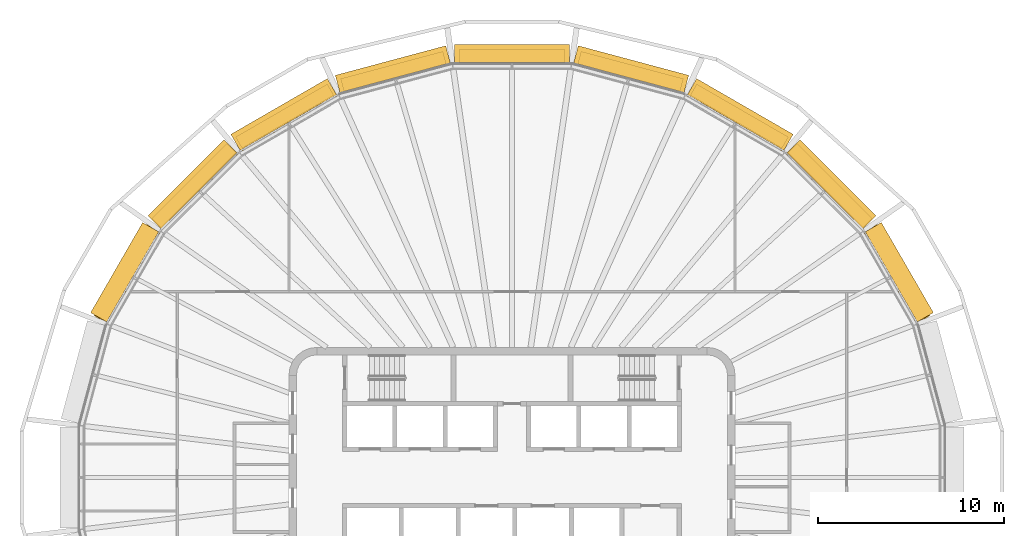
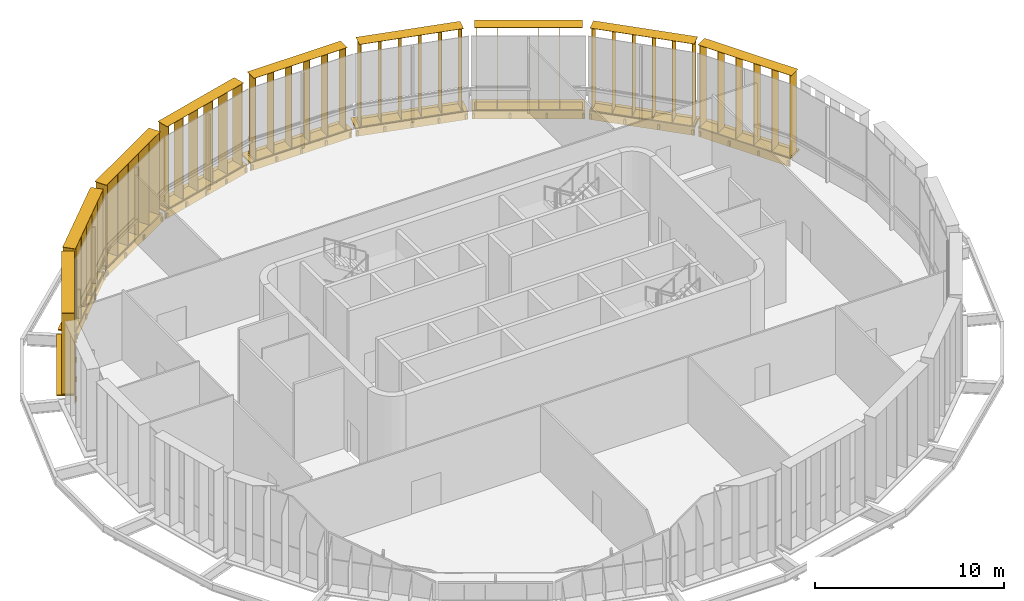
# One storey, part 16 of 16: 18 shading devices.
"""IFC4 building model written with IfcOpenShell, lengths in metres."""

from ifc_helpers import new_model, si_unit, direction, frame, origin, origin_2d, place, context, subcontext, project, spatial, rectangle, extrude, material, type_object, element, save


model = new_model("IFC4")

# Units and contexts
model_context = context("Model", 3, precision=1e-05, world=origin(), true_north=direction((0.0, 1.0)))
body_context = subcontext(model_context, "Body", "Model", "MODEL_VIEW")
ifc_project = project(units=[si_unit("LENGTHUNIT", "METRE"), si_unit("AREAUNIT", "SQUARE_METRE"), si_unit("VOLUMEUNIT", "CUBIC_METRE"), si_unit("PLANEANGLEUNIT", "RADIAN"), si_unit("MASSUNIT", "GRAM", prefix="KILO")], contexts=[model_context])

# Site, building, storey
site_placement = place(None, origin())
site = spatial("IfcSite", under=ifc_project, at=site_placement, CompositionType="ELEMENT")
building_placement = place(site_placement, origin())
building = spatial("IfcBuilding", under=site, at=building_placement, Name="Sahrelin Media Tower", CompositionType="ELEMENT")
storey_placement = place(building_placement, frame((0.0, 0.0, 324.39990234375)))
storey = spatial("IfcBuildingStorey", under=building, at=storey_placement, Name="L72", CompositionType="ELEMENT", Elevation=324.39990234375)

# Shading devices
ifc_material = material(Name="Champagne anodised aluminium 6063-T6", Category="aluminium")
shading_device_type_1 = type_object("IfcShadingDeviceType", Name="Fin cassette", PredefinedType="USERDEFINED", material=ifc_material)
placement_1 = place(storey_placement, frame((20.385009765625, 10.783935546875, 0.0), z_axis=(0.0, 0.0, 1.0), x_axis=(0.500011000363, -0.866019052629, 0.0)))
element("IfcShadingDevice", 1, at=placement_1, inside=storey, type_object=shading_device_type_1, Name="L72:FIN:L72-02", ObjectType="FIN", PredefinedType="USERDEFINED", context=body_context, shape_type="SweptSolid", body=[
    extrude(rectangle(XDim=5.699951171875, YDim=0.699951171875, at=origin_2d()), frame((0.0, 0.419921875, 0.0)), (0.0, 0.0, 1.0), 0.02001953125),
    extrude(rectangle(XDim=5.699951171875, YDim=0.699951171875, at=origin_2d()), frame((0.0, 0.419921875, 5.300048828125)), (0.0, 0.0, 1.0), 0.02001953125),
    extrude(rectangle(XDim=0.02001953125, YDim=0.699951171875, at=origin_2d()), frame((-2.75, 0.419921875, 0.010009765625), z_axis=(0.0, 0.0, 1.0), x_axis=(1.0, 0.0, 0.0)), (0.0, 0.0, 1.0), 5.300048828125),
    extrude(rectangle(XDim=0.02001953125, YDim=0.699951171875, at=origin_2d()), frame((-1.64990234375, 0.419921875, 0.010009765625), z_axis=(0.0, 0.0, 1.0), x_axis=(1.0, 0.0, 0.0)), (0.0, 0.0, 1.0), 5.300048828125),
    extrude(rectangle(XDim=0.02001953125, YDim=0.699951171875, at=origin_2d()), frame((-0.550048828125, 0.419921875, 0.010009765625), z_axis=(0.0, 0.0, 1.0), x_axis=(1.0, 0.0, 0.0)), (0.0, 0.0, 1.0), 5.300048828125),
    extrude(rectangle(XDim=0.02001953125, YDim=0.699951171875, at=origin_2d()), frame((0.550048828125, 0.419921875, 0.010009765625), z_axis=(0.0, 0.0, 1.0), x_axis=(1.0, 0.0, 0.0)), (0.0, 0.0, 1.0), 5.300048828125),
    extrude(rectangle(XDim=0.02001953125, YDim=0.699951171875, at=origin_2d()), frame((1.64990234375, 0.419921875, 0.010009765625), z_axis=(0.0, 0.0, 1.0), x_axis=(1.0, 0.0, 0.0)), (0.0, 0.0, 1.0), 5.300048828125),
    extrude(rectangle(XDim=0.02001953125, YDim=0.699951171875, at=origin_2d()), frame((2.75, 0.419921875, 0.010009765625), z_axis=(0.0, 0.0, 1.0), x_axis=(1.0, 0.0, 0.0)), (0.0, 0.0, 1.0), 5.300048828125),
])
placement_2 = place(storey_placement, frame((16.818359375, 15.4111328125, 0.0), z_axis=(0.0, 0.0, 1.0), x_axis=(0.707106781187, -0.707106781187, 0.0)))
element("IfcShadingDevice", 2, at=placement_2, inside=storey, type_object=shading_device_type_1, Name="L72:FIN:L72-03", ObjectType="FIN", PredefinedType="USERDEFINED", context=body_context, shape_type="SweptSolid", body=[
    extrude(rectangle(XDim=5.699951171875, YDim=0.699951171875, at=origin_2d()), frame((0.0, 0.419921875, 0.0)), (0.0, 0.0, 1.0), 0.02001953125),
    extrude(rectangle(XDim=5.699951171875, YDim=0.699951171875, at=origin_2d()), frame((0.0, 0.419921875, 5.300048828125)), (0.0, 0.0, 1.0), 0.02001953125),
    extrude(rectangle(XDim=0.02001953125, YDim=0.699951171875, at=origin_2d()), frame((-2.75, 0.419921875, 0.010009765625), z_axis=(0.0, 0.0, 1.0), x_axis=(1.0, 0.0, 0.0)), (0.0, 0.0, 1.0), 5.300048828125),
    extrude(rectangle(XDim=0.02001953125, YDim=0.699951171875, at=origin_2d()), frame((-1.64990234375, 0.419921875, 0.010009765625), z_axis=(0.0, 0.0, 1.0), x_axis=(1.0, 0.0, 0.0)), (0.0, 0.0, 1.0), 5.300048828125),
    extrude(rectangle(XDim=0.02001953125, YDim=0.699951171875, at=origin_2d()), frame((-0.550048828125, 0.419921875, 0.010009765625), z_axis=(0.0, 0.0, 1.0), x_axis=(1.0, 0.0, 0.0)), (0.0, 0.0, 1.0), 5.300048828125),
    extrude(rectangle(XDim=0.02001953125, YDim=0.699951171875, at=origin_2d()), frame((0.550048828125, 0.419921875, 0.010009765625), z_axis=(0.0, 0.0, 1.0), x_axis=(1.0, 0.0, 0.0)), (0.0, 0.0, 1.0), 5.300048828125),
    extrude(rectangle(XDim=0.02001953125, YDim=0.699951171875, at=origin_2d()), frame((1.64990234375, 0.419921875, 0.010009765625), z_axis=(0.0, 0.0, 1.0), x_axis=(1.0, 0.0, 0.0)), (0.0, 0.0, 1.0), 5.300048828125),
    extrude(rectangle(XDim=0.02001953125, YDim=0.699951171875, at=origin_2d()), frame((2.75, 0.419921875, 0.010009765625), z_axis=(0.0, 0.0, 1.0), x_axis=(1.0, 0.0, 0.0)), (0.0, 0.0, 1.0), 5.300048828125),
])
placement_3 = place(storey_placement, frame((12.01904296875, 19.0771484375, 0.0), z_axis=(0.0, 0.0, 1.0), x_axis=(0.866019052629, -0.500011000363, 0.0)))
element("IfcShadingDevice", 3, at=placement_3, inside=storey, type_object=shading_device_type_1, Name="L72:FIN:L72-04", ObjectType="FIN", PredefinedType="USERDEFINED", context=body_context, shape_type="SweptSolid", body=[
    extrude(rectangle(XDim=5.699951171875, YDim=0.699951171875, at=origin_2d()), frame((0.0, 0.419921875, 0.0)), (0.0, 0.0, 1.0), 0.02001953125),
    extrude(rectangle(XDim=5.699951171875, YDim=0.699951171875, at=origin_2d()), frame((0.0, 0.419921875, 5.300048828125)), (0.0, 0.0, 1.0), 0.02001953125),
    extrude(rectangle(XDim=0.02001953125, YDim=0.699951171875, at=origin_2d()), frame((-2.75, 0.419921875, 0.010009765625), z_axis=(0.0, 0.0, 1.0), x_axis=(1.0, 0.0, 0.0)), (0.0, 0.0, 1.0), 5.300048828125),
    extrude(rectangle(XDim=0.02001953125, YDim=0.699951171875, at=origin_2d()), frame((-1.64990234375, 0.419921875, 0.010009765625), z_axis=(0.0, 0.0, 1.0), x_axis=(1.0, 0.0, 0.0)), (0.0, 0.0, 1.0), 5.300048828125),
    extrude(rectangle(XDim=0.02001953125, YDim=0.699951171875, at=origin_2d()), frame((-0.550048828125, 0.419921875, 0.010009765625), z_axis=(0.0, 0.0, 1.0), x_axis=(1.0, 0.0, 0.0)), (0.0, 0.0, 1.0), 5.300048828125),
    extrude(rectangle(XDim=0.02001953125, YDim=0.699951171875, at=origin_2d()), frame((0.550048828125, 0.419921875, 0.010009765625), z_axis=(0.0, 0.0, 1.0), x_axis=(1.0, 0.0, 0.0)), (0.0, 0.0, 1.0), 5.300048828125),
    extrude(rectangle(XDim=0.02001953125, YDim=0.699951171875, at=origin_2d()), frame((1.64990234375, 0.419921875, 0.010009765625), z_axis=(0.0, 0.0, 1.0), x_axis=(1.0, 0.0, 0.0)), (0.0, 0.0, 1.0), 5.300048828125),
    extrude(rectangle(XDim=0.02001953125, YDim=0.699951171875, at=origin_2d()), frame((2.75, 0.419921875, 0.010009765625), z_axis=(0.0, 0.0, 1.0), x_axis=(1.0, 0.0, 0.0)), (0.0, 0.0, 1.0), 5.300048828125),
])
placement_4 = place(storey_placement, frame((6.270751953125, 21.447021484375, 0.0), z_axis=(0.0, 0.0, 1.0), x_axis=(0.965928857556, -0.258807731996, 0.0)))
element("IfcShadingDevice", 4, at=placement_4, inside=storey, type_object=shading_device_type_1, Name="L72:FIN:L72-05", ObjectType="FIN", PredefinedType="USERDEFINED", context=body_context, shape_type="SweptSolid", body=[
    extrude(rectangle(XDim=5.699951171875, YDim=0.699951171875, at=origin_2d()), frame((0.0, 0.419921875, 0.0)), (0.0, 0.0, 1.0), 0.02001953125),
    extrude(rectangle(XDim=5.699951171875, YDim=0.699951171875, at=origin_2d()), frame((0.0, 0.419921875, 5.300048828125)), (0.0, 0.0, 1.0), 0.02001953125),
    extrude(rectangle(XDim=0.02001953125, YDim=0.699951171875, at=origin_2d()), frame((-2.75, 0.419921875, 0.010009765625), z_axis=(0.0, 0.0, 1.0), x_axis=(1.0, 0.0, 0.0)), (0.0, 0.0, 1.0), 5.300048828125),
    extrude(rectangle(XDim=0.02001953125, YDim=0.699951171875, at=origin_2d()), frame((-1.64990234375, 0.419921875, 0.010009765625), z_axis=(0.0, 0.0, 1.0), x_axis=(1.0, 0.0, 0.0)), (0.0, 0.0, 1.0), 5.300048828125),
    extrude(rectangle(XDim=0.02001953125, YDim=0.699951171875, at=origin_2d()), frame((-0.550048828125, 0.419921875, 0.010009765625), z_axis=(0.0, 0.0, 1.0), x_axis=(1.0, 0.0, 0.0)), (0.0, 0.0, 1.0), 5.300048828125),
    extrude(rectangle(XDim=0.02001953125, YDim=0.699951171875, at=origin_2d()), frame((0.550048828125, 0.419921875, 0.010009765625), z_axis=(0.0, 0.0, 1.0), x_axis=(1.0, 0.0, 0.0)), (0.0, 0.0, 1.0), 5.300048828125),
    extrude(rectangle(XDim=0.02001953125, YDim=0.699951171875, at=origin_2d()), frame((1.64990234375, 0.419921875, 0.010009765625), z_axis=(0.0, 0.0, 1.0), x_axis=(1.0, 0.0, 0.0)), (0.0, 0.0, 1.0), 5.300048828125),
    extrude(rectangle(XDim=0.02001953125, YDim=0.699951171875, at=origin_2d()), frame((2.75, 0.419921875, 0.010009765625), z_axis=(0.0, 0.0, 1.0), x_axis=(1.0, 0.0, 0.0)), (0.0, 0.0, 1.0), 5.300048828125),
])
placement_5 = place(storey_placement, frame((0.0, 22.268798828125, 0.0), z_axis=(0.0, 0.0, 1.0), x_axis=(1.0, 0.0, 0.0)))
element("IfcShadingDevice", 5, at=placement_5, inside=storey, type_object=shading_device_type_1, Name="L72:FIN:L72-06", ObjectType="FIN", PredefinedType="USERDEFINED", context=body_context, shape_type="SweptSolid", body=[
    extrude(rectangle(XDim=5.699951171875, YDim=0.699951171875, at=origin_2d()), frame((0.0, 0.419921875, 0.0)), (0.0, 0.0, 1.0), 0.02001953125),
    extrude(rectangle(XDim=5.699951171875, YDim=0.699951171875, at=origin_2d()), frame((0.0, 0.419921875, 5.300048828125)), (0.0, 0.0, 1.0), 0.02001953125),
    extrude(rectangle(XDim=0.02001953125, YDim=0.699951171875, at=origin_2d()), frame((-2.75, 0.419921875, 0.010009765625), z_axis=(0.0, 0.0, 1.0), x_axis=(1.0, 0.0, 0.0)), (0.0, 0.0, 1.0), 5.300048828125),
    extrude(rectangle(XDim=0.02001953125, YDim=0.699951171875, at=origin_2d()), frame((-1.64990234375, 0.419921875, 0.010009765625), z_axis=(0.0, 0.0, 1.0), x_axis=(1.0, 0.0, 0.0)), (0.0, 0.0, 1.0), 5.300048828125),
    extrude(rectangle(XDim=0.02001953125, YDim=0.699951171875, at=origin_2d()), frame((-0.550048828125, 0.419921875, 0.010009765625), z_axis=(0.0, 0.0, 1.0), x_axis=(1.0, 0.0, 0.0)), (0.0, 0.0, 1.0), 5.300048828125),
    extrude(rectangle(XDim=0.02001953125, YDim=0.699951171875, at=origin_2d()), frame((0.550048828125, 0.419921875, 0.010009765625), z_axis=(0.0, 0.0, 1.0), x_axis=(1.0, 0.0, 0.0)), (0.0, 0.0, 1.0), 5.300048828125),
    extrude(rectangle(XDim=0.02001953125, YDim=0.699951171875, at=origin_2d()), frame((1.64990234375, 0.419921875, 0.010009765625), z_axis=(0.0, 0.0, 1.0), x_axis=(1.0, 0.0, 0.0)), (0.0, 0.0, 1.0), 5.300048828125),
    extrude(rectangle(XDim=0.02001953125, YDim=0.699951171875, at=origin_2d()), frame((2.75, 0.419921875, 0.010009765625), z_axis=(0.0, 0.0, 1.0), x_axis=(1.0, 0.0, 0.0)), (0.0, 0.0, 1.0), 5.300048828125),
])
placement_6 = place(storey_placement, frame((-6.270751953125, 21.447021484375, 0.0), z_axis=(0.0, 0.0, 1.0), x_axis=(0.965928857556, 0.258807731996, 0.0)))
element("IfcShadingDevice", 6, at=placement_6, inside=storey, type_object=shading_device_type_1, Name="L72:FIN:L72-07", ObjectType="FIN", PredefinedType="USERDEFINED", context=body_context, shape_type="SweptSolid", body=[
    extrude(rectangle(XDim=5.699951171875, YDim=0.699951171875, at=origin_2d()), frame((0.0, 0.419921875, 0.0)), (0.0, 0.0, 1.0), 0.02001953125),
    extrude(rectangle(XDim=5.699951171875, YDim=0.699951171875, at=origin_2d()), frame((0.0, 0.419921875, 5.300048828125)), (0.0, 0.0, 1.0), 0.02001953125),
    extrude(rectangle(XDim=0.02001953125, YDim=0.699951171875, at=origin_2d()), frame((-2.75, 0.419921875, 0.010009765625), z_axis=(0.0, 0.0, 1.0), x_axis=(1.0, 0.0, 0.0)), (0.0, 0.0, 1.0), 5.300048828125),
    extrude(rectangle(XDim=0.02001953125, YDim=0.699951171875, at=origin_2d()), frame((-1.64990234375, 0.419921875, 0.010009765625), z_axis=(0.0, 0.0, 1.0), x_axis=(1.0, 0.0, 0.0)), (0.0, 0.0, 1.0), 5.300048828125),
    extrude(rectangle(XDim=0.02001953125, YDim=0.699951171875, at=origin_2d()), frame((-0.550048828125, 0.419921875, 0.010009765625), z_axis=(0.0, 0.0, 1.0), x_axis=(1.0, 0.0, 0.0)), (0.0, 0.0, 1.0), 5.300048828125),
    extrude(rectangle(XDim=0.02001953125, YDim=0.699951171875, at=origin_2d()), frame((0.550048828125, 0.419921875, 0.010009765625), z_axis=(0.0, 0.0, 1.0), x_axis=(1.0, 0.0, 0.0)), (0.0, 0.0, 1.0), 5.300048828125),
    extrude(rectangle(XDim=0.02001953125, YDim=0.699951171875, at=origin_2d()), frame((1.64990234375, 0.419921875, 0.010009765625), z_axis=(0.0, 0.0, 1.0), x_axis=(1.0, 0.0, 0.0)), (0.0, 0.0, 1.0), 5.300048828125),
    extrude(rectangle(XDim=0.02001953125, YDim=0.699951171875, at=origin_2d()), frame((2.75, 0.419921875, 0.010009765625), z_axis=(0.0, 0.0, 1.0), x_axis=(1.0, 0.0, 0.0)), (0.0, 0.0, 1.0), 5.300048828125),
])
placement_7 = place(storey_placement, frame((-12.01904296875, 19.0771484375, 0.0), z_axis=(0.0, 0.0, 1.0), x_axis=(0.866019052629, 0.500011000363, 0.0)))
element("IfcShadingDevice", 7, at=placement_7, inside=storey, type_object=shading_device_type_1, Name="L72:FIN:L72-08", ObjectType="FIN", PredefinedType="USERDEFINED", context=body_context, shape_type="SweptSolid", body=[
    extrude(rectangle(XDim=5.699951171875, YDim=0.699951171875, at=origin_2d()), frame((0.0, 0.419921875, 0.0)), (0.0, 0.0, 1.0), 0.02001953125),
    extrude(rectangle(XDim=5.699951171875, YDim=0.699951171875, at=origin_2d()), frame((0.0, 0.419921875, 5.300048828125)), (0.0, 0.0, 1.0), 0.02001953125),
    extrude(rectangle(XDim=0.02001953125, YDim=0.699951171875, at=origin_2d()), frame((-2.75, 0.419921875, 0.010009765625), z_axis=(0.0, 0.0, 1.0), x_axis=(1.0, 0.0, 0.0)), (0.0, 0.0, 1.0), 5.300048828125),
    extrude(rectangle(XDim=0.02001953125, YDim=0.699951171875, at=origin_2d()), frame((-1.64990234375, 0.419921875, 0.010009765625), z_axis=(0.0, 0.0, 1.0), x_axis=(1.0, 0.0, 0.0)), (0.0, 0.0, 1.0), 5.300048828125),
    extrude(rectangle(XDim=0.02001953125, YDim=0.699951171875, at=origin_2d()), frame((-0.550048828125, 0.419921875, 0.010009765625), z_axis=(0.0, 0.0, 1.0), x_axis=(1.0, 0.0, 0.0)), (0.0, 0.0, 1.0), 5.300048828125),
    extrude(rectangle(XDim=0.02001953125, YDim=0.699951171875, at=origin_2d()), frame((0.550048828125, 0.419921875, 0.010009765625), z_axis=(0.0, 0.0, 1.0), x_axis=(1.0, 0.0, 0.0)), (0.0, 0.0, 1.0), 5.300048828125),
    extrude(rectangle(XDim=0.02001953125, YDim=0.699951171875, at=origin_2d()), frame((1.64990234375, 0.419921875, 0.010009765625), z_axis=(0.0, 0.0, 1.0), x_axis=(1.0, 0.0, 0.0)), (0.0, 0.0, 1.0), 5.300048828125),
    extrude(rectangle(XDim=0.02001953125, YDim=0.699951171875, at=origin_2d()), frame((2.75, 0.419921875, 0.010009765625), z_axis=(0.0, 0.0, 1.0), x_axis=(1.0, 0.0, 0.0)), (0.0, 0.0, 1.0), 5.300048828125),
])
placement_8 = place(storey_placement, frame((-16.818359375, 15.4111328125, 0.0), z_axis=(0.0, 0.0, 1.0), x_axis=(0.707106781187, 0.707106781187, 0.0)))
element("IfcShadingDevice", 8, at=placement_8, inside=storey, type_object=shading_device_type_1, Name="L72:FIN:L72-09", ObjectType="FIN", PredefinedType="USERDEFINED", context=body_context, shape_type="SweptSolid", body=[
    extrude(rectangle(XDim=5.699951171875, YDim=0.699951171875, at=origin_2d()), frame((0.0, 0.419921875, 0.0)), (0.0, 0.0, 1.0), 0.02001953125),
    extrude(rectangle(XDim=5.699951171875, YDim=0.699951171875, at=origin_2d()), frame((0.0, 0.419921875, 5.300048828125)), (0.0, 0.0, 1.0), 0.02001953125),
    extrude(rectangle(XDim=0.02001953125, YDim=0.699951171875, at=origin_2d()), frame((-2.75, 0.419921875, 0.010009765625), z_axis=(0.0, 0.0, 1.0), x_axis=(1.0, 0.0, 0.0)), (0.0, 0.0, 1.0), 5.300048828125),
    extrude(rectangle(XDim=0.02001953125, YDim=0.699951171875, at=origin_2d()), frame((-1.64990234375, 0.419921875, 0.010009765625), z_axis=(0.0, 0.0, 1.0), x_axis=(1.0, 0.0, 0.0)), (0.0, 0.0, 1.0), 5.300048828125),
    extrude(rectangle(XDim=0.02001953125, YDim=0.699951171875, at=origin_2d()), frame((-0.550048828125, 0.419921875, 0.010009765625), z_axis=(0.0, 0.0, 1.0), x_axis=(1.0, 0.0, 0.0)), (0.0, 0.0, 1.0), 5.300048828125),
    extrude(rectangle(XDim=0.02001953125, YDim=0.699951171875, at=origin_2d()), frame((0.550048828125, 0.419921875, 0.010009765625), z_axis=(0.0, 0.0, 1.0), x_axis=(1.0, 0.0, 0.0)), (0.0, 0.0, 1.0), 5.300048828125),
    extrude(rectangle(XDim=0.02001953125, YDim=0.699951171875, at=origin_2d()), frame((1.64990234375, 0.419921875, 0.010009765625), z_axis=(0.0, 0.0, 1.0), x_axis=(1.0, 0.0, 0.0)), (0.0, 0.0, 1.0), 5.300048828125),
    extrude(rectangle(XDim=0.02001953125, YDim=0.699951171875, at=origin_2d()), frame((2.75, 0.419921875, 0.010009765625), z_axis=(0.0, 0.0, 1.0), x_axis=(1.0, 0.0, 0.0)), (0.0, 0.0, 1.0), 5.300048828125),
])
placement_9 = place(storey_placement, frame((-20.385009765625, 10.78369140625, 0.0), z_axis=(0.0, 0.0, 1.0), x_axis=(0.500011000363, 0.866019052629, 0.0)))
element("IfcShadingDevice", 9, at=placement_9, inside=storey, type_object=shading_device_type_1, Name="L72:FIN:L72-10", ObjectType="FIN", PredefinedType="USERDEFINED", context=body_context, shape_type="SweptSolid", body=[
    extrude(rectangle(XDim=5.699951171875, YDim=0.699951171875, at=origin_2d()), frame((0.0, 0.419921875, 0.0)), (0.0, 0.0, 1.0), 0.02001953125),
    extrude(rectangle(XDim=5.699951171875, YDim=0.699951171875, at=origin_2d()), frame((0.0, 0.419921875, 5.300048828125)), (0.0, 0.0, 1.0), 0.02001953125),
    extrude(rectangle(XDim=0.02001953125, YDim=0.699951171875, at=origin_2d()), frame((-2.75, 0.419921875, 0.010009765625), z_axis=(0.0, 0.0, 1.0), x_axis=(1.0, 0.0, 0.0)), (0.0, 0.0, 1.0), 5.300048828125),
    extrude(rectangle(XDim=0.02001953125, YDim=0.699951171875, at=origin_2d()), frame((-1.64990234375, 0.419921875, 0.010009765625), z_axis=(0.0, 0.0, 1.0), x_axis=(1.0, 0.0, 0.0)), (0.0, 0.0, 1.0), 5.300048828125),
    extrude(rectangle(XDim=0.02001953125, YDim=0.699951171875, at=origin_2d()), frame((-0.550048828125, 0.419921875, 0.010009765625), z_axis=(0.0, 0.0, 1.0), x_axis=(1.0, 0.0, 0.0)), (0.0, 0.0, 1.0), 5.300048828125),
    extrude(rectangle(XDim=0.02001953125, YDim=0.699951171875, at=origin_2d()), frame((0.550048828125, 0.419921875, 0.010009765625), z_axis=(0.0, 0.0, 1.0), x_axis=(1.0, 0.0, 0.0)), (0.0, 0.0, 1.0), 5.300048828125),
    extrude(rectangle(XDim=0.02001953125, YDim=0.699951171875, at=origin_2d()), frame((1.64990234375, 0.419921875, 0.010009765625), z_axis=(0.0, 0.0, 1.0), x_axis=(1.0, 0.0, 0.0)), (0.0, 0.0, 1.0), 5.300048828125),
    extrude(rectangle(XDim=0.02001953125, YDim=0.699951171875, at=origin_2d()), frame((2.75, 0.419921875, 0.010009765625), z_axis=(0.0, 0.0, 1.0), x_axis=(1.0, 0.0, 0.0)), (0.0, 0.0, 1.0), 5.300048828125),
])
shading_device_type_2 = type_object("IfcShadingDeviceType", Name="Sunshade band", PredefinedType="USERDEFINED", material=ifc_material)
element("IfcShadingDevice", 10, at=placement_1, inside=storey, type_object=shading_device_type_2, Name="L72:SUN:L72-02", ObjectType="SUNSHADE", PredefinedType="USERDEFINED", context=body_context, shape_type="SweptSolid", body=[
    extrude(rectangle(XDim=5.59619140625, YDim=0.050048828125, at=origin_2d()), frame((0.0, 0.044921875, -0.55126953125)), (0.0, 0.0, 1.0), 0.471435546875),
    extrude(rectangle(XDim=5.59619140625, YDim=1.0, at=origin_2d()), frame((0.0, 0.52001953125, -0.080078125)), (0.0, 0.0, 1.0), 0.080078125),
    extrude(rectangle(XDim=0.10009765625, YDim=0.074951171875, at=origin_2d()), frame((-2.697998046875, -0.017578125, -0.47021484375)), (0.0, 0.0, 1.0), 0.300048828125),
    extrude(rectangle(XDim=0.10009765625, YDim=0.074951171875, at=origin_2d()), frame((-0.8994140625, -0.017578125, -0.47021484375)), (0.0, 0.0, 1.0), 0.300048828125),
    extrude(rectangle(XDim=0.10009765625, YDim=0.074951171875, at=origin_2d()), frame((0.8994140625, -0.017578125, -0.47021484375)), (0.0, 0.0, 1.0), 0.300048828125),
    extrude(rectangle(XDim=0.10009765625, YDim=0.074951171875, at=origin_2d()), frame((2.697998046875, -0.017578125, -0.47021484375)), (0.0, 0.0, 1.0), 0.300048828125),
])
element("IfcShadingDevice", 11, at=placement_2, inside=storey, type_object=shading_device_type_2, Name="L72:SUN:L72-03", ObjectType="SUNSHADE", PredefinedType="USERDEFINED", context=body_context, shape_type="SweptSolid", body=[
    extrude(rectangle(XDim=5.789306640625, YDim=0.050048828125, at=origin_2d()), frame((0.0, 0.044921875, -0.55126953125)), (0.0, 0.0, 1.0), 0.471435546875),
    extrude(rectangle(XDim=5.789306640625, YDim=1.0, at=origin_2d()), frame((0.0, 0.52001953125, -0.080078125)), (0.0, 0.0, 1.0), 0.080078125),
    extrude(rectangle(XDim=0.10009765625, YDim=0.074951171875, at=origin_2d()), frame((-2.794677734375, -0.017578125, -0.47021484375)), (0.0, 0.0, 1.0), 0.300048828125),
    extrude(rectangle(XDim=0.10009765625, YDim=0.074951171875, at=origin_2d()), frame((-0.931640625, -0.017578125, -0.47021484375)), (0.0, 0.0, 1.0), 0.300048828125),
    extrude(rectangle(XDim=0.10009765625, YDim=0.074951171875, at=origin_2d()), frame((0.931640625, -0.017578125, -0.47021484375)), (0.0, 0.0, 1.0), 0.300048828125),
    extrude(rectangle(XDim=0.10009765625, YDim=0.074951171875, at=origin_2d()), frame((2.794677734375, -0.017578125, -0.47021484375)), (0.0, 0.0, 1.0), 0.300048828125),
])
element("IfcShadingDevice", 12, at=placement_3, inside=storey, type_object=shading_device_type_2, Name="L72:SUN:L72-04", ObjectType="SUNSHADE", PredefinedType="USERDEFINED", context=body_context, shape_type="SweptSolid", body=[
    extrude(rectangle(XDim=5.9931640625, YDim=0.050048828125, at=origin_2d()), frame((0.0, 0.044921875, -0.55126953125)), (0.0, 0.0, 1.0), 0.471435546875),
    extrude(rectangle(XDim=5.9931640625, YDim=1.0, at=origin_2d()), frame((0.0, 0.52001953125, -0.080078125)), (0.0, 0.0, 1.0), 0.080078125),
    extrude(rectangle(XDim=0.10009765625, YDim=0.074951171875, at=origin_2d()), frame((-2.896484375, -0.017578125, -0.47021484375)), (0.0, 0.0, 1.0), 0.300048828125),
    extrude(rectangle(XDim=0.10009765625, YDim=0.074951171875, at=origin_2d()), frame((-0.965576171875, -0.017578125, -0.47021484375)), (0.0, 0.0, 1.0), 0.300048828125),
    extrude(rectangle(XDim=0.10009765625, YDim=0.074951171875, at=origin_2d()), frame((0.965576171875, -0.017578125, -0.47021484375)), (0.0, 0.0, 1.0), 0.300048828125),
    extrude(rectangle(XDim=0.10009765625, YDim=0.074951171875, at=origin_2d()), frame((2.896484375, -0.017578125, -0.47021484375)), (0.0, 0.0, 1.0), 0.300048828125),
])
element("IfcShadingDevice", 13, at=placement_4, inside=storey, type_object=shading_device_type_2, Name="L72:SUN:L72-05", ObjectType="SUNSHADE", PredefinedType="USERDEFINED", context=body_context, shape_type="SweptSolid", body=[
    extrude(rectangle(XDim=6.149658203125, YDim=0.050048828125, at=origin_2d()), frame((0.0, 0.044921875, -0.55126953125)), (0.0, 0.0, 1.0), 0.471435546875),
    extrude(rectangle(XDim=6.149658203125, YDim=1.0, at=origin_2d()), frame((0.0, 0.52001953125, -0.080078125)), (0.0, 0.0, 1.0), 0.080078125),
    extrude(rectangle(XDim=0.10009765625, YDim=0.074951171875, at=origin_2d()), frame((-2.974853515625, -0.017578125, -0.47021484375)), (0.0, 0.0, 1.0), 0.300048828125),
    extrude(rectangle(XDim=0.10009765625, YDim=0.074951171875, at=origin_2d()), frame((-1.4873046875, -0.017578125, -0.47021484375)), (0.0, 0.0, 1.0), 0.300048828125),
    extrude(rectangle(XDim=0.10009765625, YDim=0.074951171875, at=origin_2d()), frame((0.0, -0.017578125, -0.47021484375)), (0.0, 0.0, 1.0), 0.300048828125),
    extrude(rectangle(XDim=0.10009765625, YDim=0.074951171875, at=origin_2d()), frame((1.4873046875, -0.017578125, -0.47021484375)), (0.0, 0.0, 1.0), 0.300048828125),
    extrude(rectangle(XDim=0.10009765625, YDim=0.074951171875, at=origin_2d()), frame((2.974853515625, -0.017578125, -0.47021484375)), (0.0, 0.0, 1.0), 0.300048828125),
])
element("IfcShadingDevice", 14, at=placement_5, inside=storey, type_object=shading_device_type_2, Name="L72:SUN:L72-06", ObjectType="SUNSHADE", PredefinedType="USERDEFINED", context=body_context, shape_type="SweptSolid", body=[
    extrude(rectangle(XDim=6.208251953125, YDim=0.050048828125, at=origin_2d()), frame((0.0, 0.044921875, -0.55126953125)), (0.0, 0.0, 1.0), 0.471435546875),
    extrude(rectangle(XDim=6.208251953125, YDim=1.0, at=origin_2d()), frame((0.0, 0.52001953125, -0.080078125)), (0.0, 0.0, 1.0), 0.080078125),
    extrude(rectangle(XDim=0.10009765625, YDim=0.074951171875, at=origin_2d()), frame((-3.004150390625, -0.017578125, -0.47021484375)), (0.0, 0.0, 1.0), 0.300048828125),
    extrude(rectangle(XDim=0.10009765625, YDim=0.074951171875, at=origin_2d()), frame((-1.502197265625, -0.017578125, -0.47021484375)), (0.0, 0.0, 1.0), 0.300048828125),
    extrude(rectangle(XDim=0.10009765625, YDim=0.074951171875, at=origin_2d()), frame((0.0, -0.017578125, -0.47021484375)), (0.0, 0.0, 1.0), 0.300048828125),
    extrude(rectangle(XDim=0.10009765625, YDim=0.074951171875, at=origin_2d()), frame((1.501953125, -0.017578125, -0.47021484375)), (0.0, 0.0, 1.0), 0.300048828125),
    extrude(rectangle(XDim=0.10009765625, YDim=0.074951171875, at=origin_2d()), frame((3.004150390625, -0.017578125, -0.47021484375)), (0.0, 0.0, 1.0), 0.300048828125),
])
element("IfcShadingDevice", 15, at=placement_6, inside=storey, type_object=shading_device_type_2, Name="L72:SUN:L72-07", ObjectType="SUNSHADE", PredefinedType="USERDEFINED", context=body_context, shape_type="SweptSolid", body=[
    extrude(rectangle(XDim=6.149658203125, YDim=0.050048828125, at=origin_2d()), frame((0.0, 0.044921875, -0.55126953125)), (0.0, 0.0, 1.0), 0.471435546875),
    extrude(rectangle(XDim=6.149658203125, YDim=1.0, at=origin_2d()), frame((0.0, 0.52001953125, -0.080078125)), (0.0, 0.0, 1.0), 0.080078125),
    extrude(rectangle(XDim=0.10009765625, YDim=0.074951171875, at=origin_2d()), frame((-2.974853515625, -0.017578125, -0.47021484375)), (0.0, 0.0, 1.0), 0.300048828125),
    extrude(rectangle(XDim=0.10009765625, YDim=0.074951171875, at=origin_2d()), frame((-1.4873046875, -0.017578125, -0.47021484375)), (0.0, 0.0, 1.0), 0.300048828125),
    extrude(rectangle(XDim=0.10009765625, YDim=0.074951171875, at=origin_2d()), frame((0.0, -0.017578125, -0.47021484375)), (0.0, 0.0, 1.0), 0.300048828125),
    extrude(rectangle(XDim=0.10009765625, YDim=0.074951171875, at=origin_2d()), frame((1.4873046875, -0.017578125, -0.47021484375)), (0.0, 0.0, 1.0), 0.300048828125),
    extrude(rectangle(XDim=0.10009765625, YDim=0.074951171875, at=origin_2d()), frame((2.974853515625, -0.017578125, -0.47021484375)), (0.0, 0.0, 1.0), 0.300048828125),
])
element("IfcShadingDevice", 16, at=placement_7, inside=storey, type_object=shading_device_type_2, Name="L72:SUN:L72-08", ObjectType="SUNSHADE", PredefinedType="USERDEFINED", context=body_context, shape_type="SweptSolid", body=[
    extrude(rectangle(XDim=5.9931640625, YDim=0.050048828125, at=origin_2d()), frame((0.0, 0.044921875, -0.55126953125)), (0.0, 0.0, 1.0), 0.471435546875),
    extrude(rectangle(XDim=5.9931640625, YDim=1.0, at=origin_2d()), frame((0.0, 0.52001953125, -0.080078125)), (0.0, 0.0, 1.0), 0.080078125),
    extrude(rectangle(XDim=0.10009765625, YDim=0.074951171875, at=origin_2d()), frame((-2.896484375, -0.017578125, -0.47021484375)), (0.0, 0.0, 1.0), 0.300048828125),
    extrude(rectangle(XDim=0.10009765625, YDim=0.074951171875, at=origin_2d()), frame((-0.965576171875, -0.017578125, -0.47021484375)), (0.0, 0.0, 1.0), 0.300048828125),
    extrude(rectangle(XDim=0.10009765625, YDim=0.074951171875, at=origin_2d()), frame((0.965576171875, -0.017578125, -0.47021484375)), (0.0, 0.0, 1.0), 0.300048828125),
    extrude(rectangle(XDim=0.10009765625, YDim=0.074951171875, at=origin_2d()), frame((2.896484375, -0.017578125, -0.47021484375)), (0.0, 0.0, 1.0), 0.300048828125),
])
element("IfcShadingDevice", 17, at=placement_8, inside=storey, type_object=shading_device_type_2, Name="L72:SUN:L72-09", ObjectType="SUNSHADE", PredefinedType="USERDEFINED", context=body_context, shape_type="SweptSolid", body=[
    extrude(rectangle(XDim=5.789306640625, YDim=0.050048828125, at=origin_2d()), frame((0.0, 0.044921875, -0.55126953125)), (0.0, 0.0, 1.0), 0.471435546875),
    extrude(rectangle(XDim=5.789306640625, YDim=1.0, at=origin_2d()), frame((0.0, 0.52001953125, -0.080078125)), (0.0, 0.0, 1.0), 0.080078125),
    extrude(rectangle(XDim=0.10009765625, YDim=0.074951171875, at=origin_2d()), frame((-2.794677734375, -0.017578125, -0.47021484375)), (0.0, 0.0, 1.0), 0.300048828125),
    extrude(rectangle(XDim=0.10009765625, YDim=0.074951171875, at=origin_2d()), frame((-0.931640625, -0.017578125, -0.47021484375)), (0.0, 0.0, 1.0), 0.300048828125),
    extrude(rectangle(XDim=0.10009765625, YDim=0.074951171875, at=origin_2d()), frame((0.931640625, -0.017578125, -0.47021484375)), (0.0, 0.0, 1.0), 0.300048828125),
    extrude(rectangle(XDim=0.10009765625, YDim=0.074951171875, at=origin_2d()), frame((2.794677734375, -0.017578125, -0.47021484375)), (0.0, 0.0, 1.0), 0.300048828125),
])
element("IfcShadingDevice", 18, at=placement_9, inside=storey, type_object=shading_device_type_2, Name="L72:SUN:L72-10", ObjectType="SUNSHADE", PredefinedType="USERDEFINED", context=body_context, shape_type="SweptSolid", body=[
    extrude(rectangle(XDim=5.59619140625, YDim=0.050048828125, at=origin_2d()), frame((0.0, 0.044921875, -0.55126953125)), (0.0, 0.0, 1.0), 0.471435546875),
    extrude(rectangle(XDim=5.59619140625, YDim=1.0, at=origin_2d()), frame((0.0, 0.52001953125, -0.080078125)), (0.0, 0.0, 1.0), 0.080078125),
    extrude(rectangle(XDim=0.10009765625, YDim=0.074951171875, at=origin_2d()), frame((-2.697998046875, -0.017578125, -0.47021484375)), (0.0, 0.0, 1.0), 0.300048828125),
    extrude(rectangle(XDim=0.10009765625, YDim=0.074951171875, at=origin_2d()), frame((-0.8994140625, -0.017578125, -0.47021484375)), (0.0, 0.0, 1.0), 0.300048828125),
    extrude(rectangle(XDim=0.10009765625, YDim=0.074951171875, at=origin_2d()), frame((0.8994140625, -0.017578125, -0.47021484375)), (0.0, 0.0, 1.0), 0.300048828125),
    extrude(rectangle(XDim=0.10009765625, YDim=0.074951171875, at=origin_2d()), frame((2.697998046875, -0.017578125, -0.47021484375)), (0.0, 0.0, 1.0), 0.300048828125),
])

save(model, "model.ifc")
